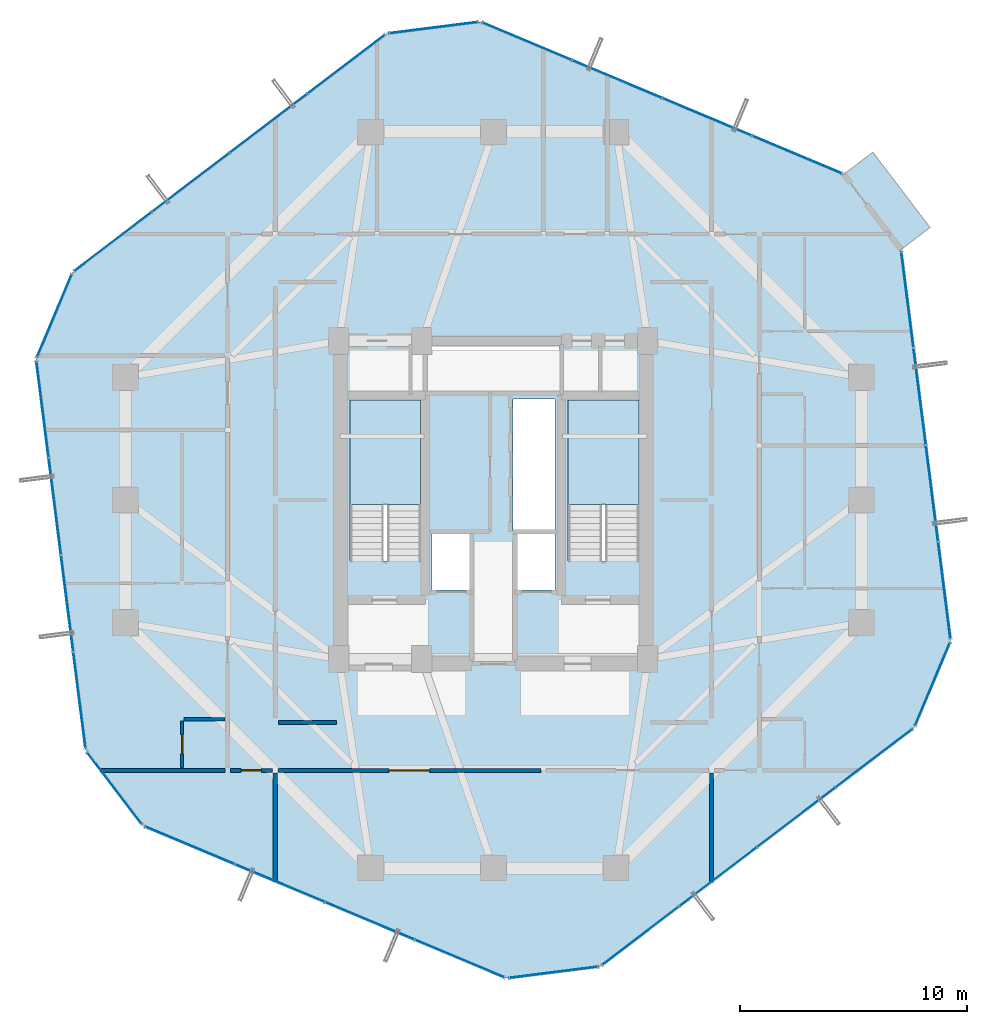
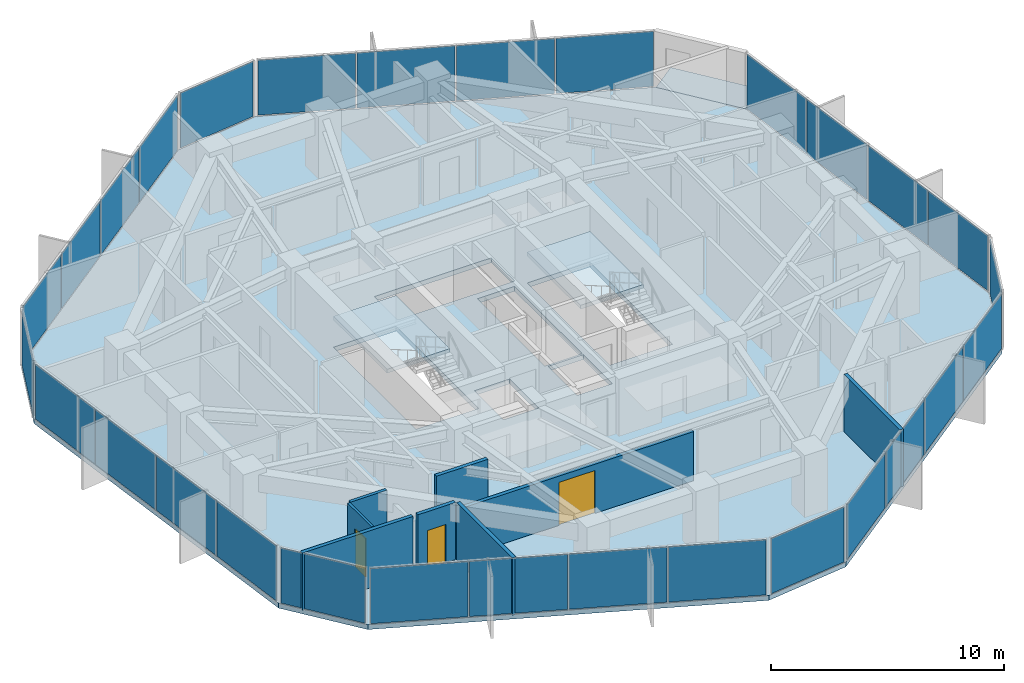
# One storey, part 28 of 33: 29 plates, 8 walls, 4 slabs, 3 doors, 3 openings, 13 elements without a shape of their own.
"""IFC4 building model written with IfcOpenShell, lengths in metres."""

import ifcopenshell
import ifcopenshell.guid

model = None  # the IFC model being written
_history = None  # IfcOwnerHistory: only IFC2X3 demands one
_inside = {}  # id of a spatial element -> (the spatial element, [elements in it])
_under = {}  # id of a project, library or spatial element -> (it, [spatial elements below it])
_declared = {}  # id of a project -> (the project, [libraries it declares])
_typed = {}  # id of a type object -> (the type object, [elements of that type])
_made_of = {}  # id of a material, layer set ... -> (it, [elements and type objects made of it])


def new_model(schema):
    """Start an empty IFC model of exactly this schema.

    Asked for "IFC4X3", IfcOpenShell would pick the latest addendum, in which some entities
    have other attributes; the version numbers below select the first issue.
    IFC2X3 requires an IfcOwnerHistory on every rooted entity: one is made here for all.
    """
    global model, _history
    if schema == "IFC4X3":
        model = ifcopenshell.file(schema_version=(4, 3, 0, 0))
    else:
        model = ifcopenshell.file(schema=schema)
    _inside.clear()
    _under.clear()
    _declared.clear()
    _typed.clear()
    _made_of.clear()
    _history = None
    if model.schema == "IFC2X3":
        org = make("IfcOrganization", Name="unknown")
        user = make(
            "IfcPersonAndOrganization",
            ThePerson=make("IfcPerson", FamilyName="unknown"),
            TheOrganization=org,
        )
        app = make(
            "IfcApplication",
            ApplicationDeveloper=org,
            Version="unknown",
            ApplicationFullName="unknown",
            ApplicationIdentifier="unknown",
        )
        _history = make(
            "IfcOwnerHistory",
            OwningUser=user,
            OwningApplication=app,
            ChangeAction="ADDED",
            CreationDate=0,
        )
    return model


def make(cls, **values):
    """One entity of the class cls with the attributes given. An attribute that is None is left unset."""
    return model.create_entity(
        cls, **{name: value for name, value in values.items() if value is not None}
    )


def rooted(cls, **values):
    """An entity with a GlobalId (a new one), such as an element, a storey or a relation."""
    return make(cls, GlobalId=ifcopenshell.guid.new(), OwnerHistory=_history, **values)


def si_unit(unit_type, name, prefix=None):
    """IfcSIUnit, for example si_unit("LENGTHUNIT", "METRE", prefix="MILLI")."""
    return make("IfcSIUnit", UnitType=unit_type, Prefix=prefix, Name=name)


def assignment(units):
    """IfcUnitAssignment: the units of a project."""
    return None if units is None else make("IfcUnitAssignment", Units=units)


def point(xyz):
    """IfcCartesianPoint."""
    return None if xyz is None else make("IfcCartesianPoint", Coordinates=xyz)


def direction(xyz):
    """IfcDirection."""
    return None if xyz is None else make("IfcDirection", DirectionRatios=xyz)


def frame(location, z_axis=None, x_axis=None):
    """IfcAxis2Placement3D, a coordinate frame: its origin and axes. An axis left out is left unset."""
    return make(
        "IfcAxis2Placement3D",
        Location=point(location),
        Axis=direction(z_axis),
        RefDirection=direction(x_axis),
    )


def frame_2d(location, x_axis=None):
    """IfcAxis2Placement2D, a coordinate frame in the plane: its origin and x axis."""
    return make(
        "IfcAxis2Placement2D", Location=point(location), RefDirection=direction(x_axis)
    )


def origin():
    """The frame at (0, 0, 0) with its axes left unset."""
    return frame((0.0, 0.0, 0.0))


def origin_2d():
    """The frame at (0, 0) in the plane with its x axis left unset."""
    return frame_2d((0.0, 0.0))


def place(relative_to, where):
    """IfcLocalPlacement: puts the frame where relative to a parent placement (None: the world)."""
    return make(
        "IfcLocalPlacement", PlacementRelTo=relative_to, RelativePlacement=where
    )


def context(
    kind, dimensions, precision=None, world=None, true_north=None, identifier=None
):
    """IfcGeometricRepresentationContext, for example the 3D "Model" context."""
    return make(
        "IfcGeometricRepresentationContext",
        ContextIdentifier=identifier,
        ContextType=kind,
        CoordinateSpaceDimension=dimensions,
        Precision=precision,
        WorldCoordinateSystem=world,
        TrueNorth=true_north,
    )


def subcontext(parent, identifier, kind, view, scale=None):
    """IfcGeometricRepresentationSubContext, for example "Body" below "Model"."""
    return make(
        "IfcGeometricRepresentationSubContext",
        ContextIdentifier=identifier,
        ContextType=kind,
        ParentContext=parent,
        TargetScale=scale,
        TargetView=view,
    )


def project(units=None, contexts=None):
    """IfcProject with its units and contexts."""
    return rooted(
        "IfcProject",
        Name="project",
        RepresentationContexts=contexts,
        UnitsInContext=assignment(units),
    )


def spatial(cls, under=None, at=None, **own):
    """A site, building, storey or space (cls), placed at a placement, below another one or the project."""
    s = rooted(cls, ObjectPlacement=at, **own)
    if under is not None:
        _under.setdefault(under.id(), (under, []))[1].append(s)
    return s


def polyline(points):
    """IfcPolyline through the points."""
    return make("IfcPolyline", Points=[point(p) for p in points])


def profile(cls, at=None, kind="AREA", **sizes):
    """A parametric profile (cls). Its sizes go by their IFC names, for example OverallWidth=200.0."""
    return make(cls, ProfileType=kind, Position=at, **sizes)


def rectangle(**sizes):
    """IfcRectangleProfileDef."""
    return profile("IfcRectangleProfileDef", **sizes)


def outline(outer, holes=None, kind="AREA"):
    """IfcArbitraryClosedProfileDef: a profile drawn as a closed curve; with holes, ...WithVoids."""
    if holes is None:
        return make("IfcArbitraryClosedProfileDef", ProfileType=kind, OuterCurve=outer)
    return make(
        "IfcArbitraryProfileDefWithVoids",
        ProfileType=kind,
        OuterCurve=outer,
        InnerCurves=holes,
    )


def extrude(swept, where, along, depth):
    """IfcExtrudedAreaSolid: the profile swept, set in the frame where, extruded along a direction by depth."""
    return make(
        "IfcExtrudedAreaSolid",
        SweptArea=swept,
        Position=where,
        ExtrudedDirection=direction(along),
        Depth=depth,
    )


def shape(context_of_items, identifier, shape_type, items):
    """IfcShapeRepresentation: the items that make up one representation, for example the "Body"."""
    return make(
        "IfcShapeRepresentation",
        ContextOfItems=context_of_items,
        RepresentationIdentifier=identifier,
        RepresentationType=shape_type,
        Items=items,
    )


def source(mapping_origin, context_of_items, identifier, shape_type, items):
    """IfcRepresentationMap: a shape defined once, which mapped items show again and again."""
    return make(
        "IfcRepresentationMap",
        MappingOrigin=mapping_origin,
        MappedRepresentation=shape(context_of_items, identifier, shape_type, items),
    )


def transform(
    local_origin,
    x_axis=None,
    y_axis=None,
    z_axis=None,
    scale=None,
    scale2=None,
    scale3=None,
    uniform=True,
):
    """IfcCartesianTransformationOperator3D, or its non-uniform kind. x_axis, y_axis, z_axis: its Axis1, 2, 3."""
    if uniform:
        return make(
            "IfcCartesianTransformationOperator3D",
            Axis1=direction(x_axis),
            Axis2=direction(y_axis),
            LocalOrigin=point(local_origin),
            Scale=scale,
            Axis3=direction(z_axis),
        )
    return make(
        "IfcCartesianTransformationOperator3DnonUniform",
        Axis1=direction(x_axis),
        Axis2=direction(y_axis),
        LocalOrigin=point(local_origin),
        Scale=scale,
        Axis3=direction(z_axis),
        Scale2=scale2,
        Scale3=scale3,
    )


def mapped(mapping_source, mapping_target):
    """IfcMappedItem: shows the shape of a source again, moved by a transform."""
    return make(
        "IfcMappedItem", MappingSource=mapping_source, MappingTarget=mapping_target
    )


def material(Name=None, Category=None):
    """IfcMaterial."""
    return make("IfcMaterial", Name=Name, Category=Category)


def layer(
    of_material, thickness, ventilated=None, Name=None, Category=None, Priority=None
):
    """IfcMaterialLayer: one layer of a wall or slab, of a material (None: an air gap)."""
    return make(
        "IfcMaterialLayer",
        Material=of_material,
        LayerThickness=thickness,
        IsVentilated=ventilated,
        Name=Name,
        Category=Category,
        Priority=Priority,
    )


def layer_set(layers, Name=None):
    """IfcMaterialLayerSet."""
    return make("IfcMaterialLayerSet", MaterialLayers=layers, LayerSetName=Name)


def made_of(thing, what):
    """Note that an element or type object is made of a material, layer set ...; save() writes the relation."""
    if what is not None:
        _made_of.setdefault(what.id(), (what, []))[1].append(thing)
    return thing


def type_object(cls, material=None, **own):
    """A type object (cls), such as IfcWallType, which elements share."""
    return made_of(rooted(cls, **own), material)


def element(
    cls,
    number,
    at=None,
    inside=None,
    cuts=None,
    type_object=None,
    material=None,
    context=None,
    identifier="Body",
    shape_type=None,
    held_by="IfcProductDefinitionShape",
    body=None,
    shapes=None,
    **own,
):
    """One element of the class cls, such as IfcWall. Its Tag is "e" and its number.

    at: its placement. inside: the storey or other place that contains it. cuts: it is an
    opening in that element (IfcRelVoidsElement). A single representation is given by context,
    identifier, shape_type and body (its items); several are given by shapes. held_by: the class
    of the entity that holds the representations. save() writes the other relations.
    """
    e = rooted(cls, Tag="e%d" % number, ObjectPlacement=at, **own)
    if body is not None:
        shapes = [shape(context, identifier, shape_type, body)]
    if shapes is not None:
        e.Representation = make(held_by, Representations=shapes)
    if inside is not None:
        _inside.setdefault(inside.id(), (inside, []))[1].append(e)
    if cuts is not None:
        rooted(
            "IfcRelVoidsElement", RelatingBuildingElement=cuts, RelatedOpeningElement=e
        )
    if type_object is not None:
        _typed.setdefault(type_object.id(), (type_object, []))[1].append(e)
    return made_of(e, material)


def fill(opening, filler):
    """IfcRelFillsElement: the door or window that sits in an opening."""
    return rooted(
        "IfcRelFillsElement",
        RelatingOpeningElement=opening,
        RelatedBuildingElement=filler,
    )


def aggregate(whole, parts):
    """IfcRelAggregates: a whole, such as a stair, and the parts it consists of."""
    return rooted("IfcRelAggregates", RelatingObject=whole, RelatedObjects=parts)


def save(model, path):
    """Write the relations noted so far, then the file.

    IfcRelAggregates (storeys below a building ...), IfcRelContainedInSpatialStructure (elements
    in a storey), IfcRelDefinesByType, IfcRelAssociatesMaterial and IfcRelDeclares: one each for
    every whole, place, type object, material and project.
    """
    for whole, parts in _under.values():
        aggregate(whole, parts)
    for where, things in _inside.values():
        rooted(
            "IfcRelContainedInSpatialStructure",
            RelatedElements=things,
            RelatingStructure=where,
        )
    for kind, things in _typed.values():
        rooted("IfcRelDefinesByType", RelatedObjects=things, RelatingType=kind)
    for what, things in _made_of.values():
        rooted("IfcRelAssociatesMaterial", RelatedObjects=things, RelatingMaterial=what)
    for by, libraries in _declared.values():
        rooted("IfcRelDeclares", RelatingContext=by, RelatedDefinitions=libraries)
    model.write(path)


model = new_model("IFC4")

# Units and contexts
model_context = context("Model", 3, precision=1e-05, world=origin(), true_north=direction((0.0, 1.0)))
body_context = subcontext(model_context, "Body", "Model", "MODEL_VIEW")
ifc_project = project(units=[si_unit("LENGTHUNIT", "METRE"), si_unit("AREAUNIT", "SQUARE_METRE"), si_unit("VOLUMEUNIT", "CUBIC_METRE"), si_unit("PLANEANGLEUNIT", "RADIAN"), si_unit("MASSUNIT", "GRAM", prefix="KILO")], contexts=[model_context])

# Site, building, storey
site_placement = place(None, origin())
site = spatial("IfcSite", under=ifc_project, at=site_placement, CompositionType="ELEMENT")
building_placement = place(site_placement, origin())
building = spatial("IfcBuilding", under=site, at=building_placement, Name="Veraguas Prism Commons", CompositionType="ELEMENT")
storey_placement = place(building_placement, frame((0.0, 0.0, 152.25)))
storey = spatial("IfcBuildingStorey", under=building, at=storey_placement, Name="L43", CompositionType="ELEMENT", Elevation=152.25)

# Stair, slab
ifc_material_1 = material(Name="Precast concrete C45/55", Category="concrete")
stair_type = type_object("IfcStairType", Name="Dogleg Core Stair 1480W 20R 05", PredefinedType="HALF_TURN_STAIR", material=ifc_material_1)
stair_1_placement = place(storey_placement, origin())
stair_1 = element("IfcStair", 1, at=stair_1_placement, inside=storey, type_object=stair_type, Name="Protected Exit Stair ST-01 L43", PredefinedType="HALF_TURN_STAIR")
ifc_layer_1 = layer(ifc_material_1, 0.199951171875, Name="Precast Stair and Ramp Landing Slab 200", Category="concrete")
ifc_layer_set_1 = layer_set([ifc_layer_1], Name="Precast concrete C45/55")
slab_type_1 = type_object("IfcSlabType", Name="Precast Stair and Ramp Landing Slab 200", PredefinedType="LANDING", material=ifc_layer_set_1)
slab_1_placement = place(storey_placement, frame((0.0, 0.0, 1.425048828125)))
slab_1 = element("IfcSlab", 2, at=slab_1_placement, type_object=slab_type_1, Name="ST-05 Landing 1", PredefinedType="LANDING", context=body_context, shape_type="SweptSolid", body=[
    extrude(outline(polyline([(20.800048828125, 23.800048828125), (20.800048828125, 28.39990234375), (17.68994140625, 28.39990234375), (17.68994140625, 23.800048828125), (20.800048828125, 23.800048828125)])), origin(), (0.0, 0.0, 1.0), 0.199951171875),
])
aggregate(stair_1, [slab_1])

stair_2_placement = place(storey_placement, origin())
stair_2 = element("IfcStair", 3, at=stair_2_placement, inside=storey, type_object=stair_type, Name="Protected Exit Stair ST-02 L43", PredefinedType="HALF_TURN_STAIR")
slab_2_placement = place(storey_placement, frame((0.0, 0.0, 1.425048828125)))
slab_2 = element("IfcSlab", 4, at=slab_2_placement, type_object=slab_type_1, Name="ST-05 Landing 1", PredefinedType="LANDING", context=body_context, shape_type="SweptSolid", body=[
    extrude(outline(polyline([(30.39990234375, 23.800048828125), (30.39990234375, 28.39990234375), (27.2900390625, 28.39990234375), (27.2900390625, 23.800048828125), (30.39990234375, 23.800048828125)])), origin(), (0.0, 0.0, 1.0), 0.199951171875),
])
aggregate(stair_2, [slab_2])

# Slabs
ifc_material_2 = material(Name="Concrete C45/55", Category="concrete")
ifc_layer_2 = layer(ifc_material_2, 0.219970703125, Name="Recessed Loggia and Terrace Slab RC 220", Category="concrete")
ifc_layer_set_2 = layer_set([ifc_layer_2], Name="Concrete C45/55")
slab_type_2 = type_object("IfcSlabType", Name="Recessed Loggia and Terrace Slab RC 220", PredefinedType="FLOOR", material=ifc_layer_set_2)
slab_3_placement = place(storey_placement, frame((0.0, 0.0, -0.219970703125)))
element("IfcSlab", 5, at=slab_3_placement, inside=storey, type_object=slab_type_2, Name="Recessed Corner Loggia L43-C1", PredefinedType="FLOOR", context=body_context, shape_type="SweptSolid", body=[
    extrude(outline(polyline([(41.920166015625, 35.013427734375), (43.209716796875, 35.993896484375), (40.696533203125, 39.300048828125), (39.40673828125, 38.319580078125), (41.920166015625, 35.013427734375)])), origin(), (0.0, 0.0, 1.0), 0.219970703125),
])
ifc_layer_3 = layer(ifc_material_2, 0.25, Name="Tower Lower Residential Floor Slab RC 250", Category="concrete")
ifc_layer_set_3 = layer_set([ifc_layer_3], Name="Concrete C45/55")
slab_type_3 = type_object("IfcSlabType", Name="Tower Lower Residential Floor Slab RC 250", PredefinedType="FLOOR", material=ifc_layer_set_3)
slab_4_placement = place(storey_placement, frame((0.0, 0.0, -0.25)))
element("IfcSlab", 6, at=slab_4_placement, inside=storey, type_object=slab_type_3, Name="Tower Floor Slab L43", PredefinedType="FLOOR", context=body_context, shape_type="SweptSolid", body=[
    extrude(outline(polyline([(41.93603515625, 35.025390625), (39.422607421875, 38.331787109375), (23.419677734375, 45.0458984375), (19.299560546875, 44.5224609375), (5.483642578125, 34.020263671875), (3.876953125, 30.1904296875), (6.06396484375, 12.974609375), (8.577392578125, 9.668212890625), (24.580322265625, 2.9541015625), (28.700439453125, 3.4775390625), (42.516357421875, 13.979736328125), (44.123046875, 17.8095703125), (41.93603515625, 35.025390625)]), holes=[polyline([(20.800048828125, 21.31005859375), (20.800048828125, 28.39990234375), (17.68994140625, 28.39990234375), (17.68994140625, 21.31005859375), (20.800048828125, 21.31005859375)]), polyline([(30.39990234375, 21.31005859375), (30.39990234375, 28.39990234375), (27.2900390625, 28.39990234375), (27.2900390625, 21.31005859375), (30.39990234375, 21.31005859375)]), polyline([(24.85009765625, 22.64990234375), (26.699951171875, 22.64990234375), (26.699951171875, 28.449951171875), (24.85009765625, 28.449951171875), (24.85009765625, 22.64990234375)]), polyline([(21.10009765625, 28.800048828125), (26.89990234375, 28.800048828125), (26.89990234375, 30.800048828125), (21.10009765625, 30.800048828125), (21.10009765625, 28.800048828125)]), polyline([(21.300048828125, 20.050048828125), (23.050048828125, 20.050048828125), (23.050048828125, 22.550048828125), (21.300048828125, 22.550048828125), (21.300048828125, 20.050048828125)]), polyline([(24.949951171875, 20.050048828125), (26.699951171875, 20.050048828125), (26.699951171875, 22.550048828125), (24.949951171875, 22.550048828125), (24.949951171875, 20.050048828125)])]), origin(), (0.0, 0.0, 1.0), 0.25),
])

# Curtain wall, plates
ifc_material_3 = material(Name="Anodised aluminium EN AW-6063 T6", Category="aluminium")
ifc_layer_4 = layer(ifc_material_3, 0.169921875, Name="Unitised Flush Curtain Wall Zone 2", Category="aluminium")
ifc_layer_set_4 = layer_set([ifc_layer_4], Name="Anodised aluminium EN AW-6063 T6")
curtain_wall_type = type_object("IfcCurtainWallType", Name="Unitised Flush Curtain Wall Zone 2", PredefinedType="NOTDEFINED", material=ifc_layer_set_4)
curtain_wall_1_placement = place(storey_placement, origin())
curtain_wall_1 = element("IfcCurtainWall", 7, at=curtain_wall_1_placement, inside=storey, type_object=curtain_wall_type, Name="Tower Facade Curtain Wall L43-F2", PredefinedType="NOTDEFINED")
ifc_material_4 = material(Name="Laminated low-e glass", Category="glass")
ifc_layer_5 = layer(ifc_material_4, 0.028076171875, Name="Unitised Double Low-E Glazed Panel 28", Category="glass")
ifc_layer_set_5 = layer_set([ifc_layer_5], Name="Laminated low-e glass")
plate_type = type_object("IfcPlateType", Name="Unitised Double Low-E Glazed Panel 28", PredefinedType="CURTAIN_PANEL", material=ifc_layer_set_5)
shared_shape_1 = source(origin(), body_context, "Body", "SweptSolid", [
    extrude(rectangle(XDim=4.218505859375, YDim=0.028076171875, at=origin_2d()), origin(), (0.0, 0.0, 1.0), 2.889892578125),
])
plate_1_placement = place(storey_placement, frame((17.52490234375, 43.17333984375, 0.05517578125), z_axis=(0.0, 0.0, 1.0), x_axis=(-0.796104465545, -0.605159218668, 0.0)))
plate_1 = element("IfcPlate", 8, at=plate_1_placement, type_object=plate_type, Name="CW-Z2 Panel 1.1", PredefinedType="CURTAIN_PANEL", context=body_context, shape_type="MappedRepresentation", body=[
    mapped(shared_shape_1, transform((0.0, 0.0, 0.0), scale=1.0)),
])
plate_2_placement = place(storey_placement, frame((7.258544921875, 35.369384765625, 0.05517578125), z_axis=(0.0, 0.0, 1.0), x_axis=(-0.796104465545, -0.605159218668, 0.0)))
plate_2 = element("IfcPlate", 9, at=plate_2_placement, type_object=plate_type, Name="CW-Z2 Panel 4.1", PredefinedType="CURTAIN_PANEL", context=body_context, shape_type="MappedRepresentation", body=[
    mapped(shared_shape_1, transform((0.0, 0.0, 0.0), scale=1.0)),
])

curtain_wall_2_placement = place(storey_placement, origin())
curtain_wall_2 = element("IfcCurtainWall", 10, at=curtain_wall_2_placement, inside=storey, type_object=curtain_wall_type, Name="Tower Facade Curtain Wall L43-F3", PredefinedType="NOTDEFINED")
plate_3_placement = place(storey_placement, frame((4.157958984375, 27.97900390625, 0.05517578125), z_axis=(0.0, 0.0, 1.0), x_axis=(0.126020635446, -0.992027620302, 0.0)))
plate_3 = element("IfcPlate", 11, at=plate_3_placement, type_object=plate_type, Name="CW-Z2 Panel 1.1", PredefinedType="CURTAIN_PANEL", context=body_context, shape_type="MappedRepresentation", body=[
    mapped(shared_shape_1, transform((0.0, 0.0, 0.0), scale=1.0)),
])
plate_4_placement = place(storey_placement, frame((5.782958984375, 15.18603515625, 0.05517578125), z_axis=(0.0, 0.0, 1.0), x_axis=(0.126020635446, -0.992027620302, 0.0)))
plate_4 = element("IfcPlate", 12, at=plate_4_placement, type_object=plate_type, Name="CW-Z2 Panel 4.1", PredefinedType="CURTAIN_PANEL", context=body_context, shape_type="MappedRepresentation", body=[
    mapped(shared_shape_1, transform((0.0, 0.0, 0.0), scale=1.0)),
])

curtain_wall_3_placement = place(storey_placement, origin())
curtain_wall_3 = element("IfcCurtainWall", 13, at=curtain_wall_3_placement, inside=storey, type_object=curtain_wall_type, Name="Tower Facade Curtain Wall L43-F5", PredefinedType="NOTDEFINED")
plate_5_placement = place(storey_placement, frame((30.47509765625, 4.82666015625, 0.05517578125), z_axis=(0.0, 0.0, 1.0), x_axis=(0.796104465545, 0.605159218668, 0.0)))
plate_5 = element("IfcPlate", 14, at=plate_5_placement, type_object=plate_type, Name="CW-Z2 Panel 1.1", PredefinedType="CURTAIN_PANEL", context=body_context, shape_type="MappedRepresentation", body=[
    mapped(shared_shape_1, transform((0.0, 0.0, 0.0), scale=1.0)),
])
plate_6_placement = place(storey_placement, frame((40.741455078125, 12.630615234375, 0.05517578125), z_axis=(0.0, 0.0, 1.0), x_axis=(0.796104465545, 0.605159218668, 0.0)))
plate_6 = element("IfcPlate", 15, at=plate_6_placement, type_object=plate_type, Name="CW-Z2 Panel 4.1", PredefinedType="CURTAIN_PANEL", context=body_context, shape_type="MappedRepresentation", body=[
    mapped(shared_shape_1, transform((0.0, 0.0, 0.0), scale=1.0)),
])

curtain_wall_4_placement = place(storey_placement, origin())
curtain_wall_4 = element("IfcCurtainWall", 16, at=curtain_wall_4_placement, inside=storey, type_object=curtain_wall_type, Name="Tower Facade Curtain Wall L43-F6", PredefinedType="NOTDEFINED")
plate_7_placement = place(storey_placement, frame((43.842041015625, 20.02099609375, 0.05517578125), z_axis=(0.0, 0.0, 1.0), x_axis=(-0.126020635446, 0.992027620302, 0.0)))
plate_7 = element("IfcPlate", 17, at=plate_7_placement, type_object=plate_type, Name="CW-Z2 Panel 1.1", PredefinedType="CURTAIN_PANEL", context=body_context, shape_type="MappedRepresentation", body=[
    mapped(shared_shape_1, transform((0.0, 0.0, 0.0), scale=1.0)),
])
plate_8_placement = place(storey_placement, frame((42.217041015625, 32.81396484375, 0.05517578125), z_axis=(0.0, 0.0, 1.0), x_axis=(-0.126020635446, 0.992027620302, 0.0)))
plate_8 = element("IfcPlate", 18, at=plate_8_placement, type_object=plate_type, Name="CW-Z2 Panel 4.1", PredefinedType="CURTAIN_PANEL", context=body_context, shape_type="MappedRepresentation", body=[
    mapped(shared_shape_1, transform((0.0, 0.0, 0.0), scale=1.0)),
])

curtain_wall_5_placement = place(storey_placement, origin())
curtain_wall_5 = element("IfcCurtainWall", 19, at=curtain_wall_5_placement, inside=storey, type_object=curtain_wall_type, Name="Tower Facade Curtain Wall L43-F1", PredefinedType="NOTDEFINED")
shared_shape_2 = source(origin(), body_context, "Body", "SweptSolid", [
    extrude(rectangle(XDim=4.24853515625, YDim=0.028076171875, at=origin_2d()), origin(), (0.0, 0.0, 1.0), 2.889892578125),
])
plate_9_placement = place(storey_placement, frame((33.40771484375, 40.85546875, 0.05517578125), z_axis=(0.0, 0.0, 1.0), x_axis=(-0.922132113386, 0.38687512903, 0.0)))
plate_9 = element("IfcPlate", 20, at=plate_9_placement, type_object=plate_type, Name="CW-Z2 Panel 2.1", PredefinedType="CURTAIN_PANEL", context=body_context, shape_type="MappedRepresentation", body=[
    mapped(shared_shape_2, transform((0.0, 0.0, 0.0), scale=1.0)),
])
plate_10_placement = place(storey_placement, frame((29.4345703125, 42.522216796875, 0.05517578125), z_axis=(0.0, 0.0, 1.0), x_axis=(-0.922132113386, 0.38687512903, 0.0)))
plate_10 = element("IfcPlate", 21, at=plate_10_placement, type_object=plate_type, Name="CW-Z2 Panel 3.1", PredefinedType="CURTAIN_PANEL", context=body_context, shape_type="MappedRepresentation", body=[
    mapped(shared_shape_2, transform((0.0, 0.0, 0.0), scale=1.0)),
])

# Plate
plate_11_placement = place(storey_placement, frame((14.106689453125, 40.574951171875, 0.05517578125), z_axis=(0.0, 0.0, 1.0), x_axis=(-0.796104465545, -0.605159218668, 0.0)))
plate_11 = element("IfcPlate", 22, at=plate_11_placement, type_object=plate_type, Name="CW-Z2 Panel 2.1", PredefinedType="CURTAIN_PANEL", context=body_context, shape_type="MappedRepresentation", body=[
    mapped(shared_shape_2, transform((0.0, 0.0, 0.0), scale=1.0)),
])

plate_12_placement = place(storey_placement, frame((10.676513671875, 37.9677734375, 0.05517578125), z_axis=(0.0, 0.0, 1.0), x_axis=(-0.796104465545, -0.605159218668, 0.0)))
plate_12 = element("IfcPlate", 23, at=plate_12_placement, type_object=plate_type, Name="CW-Z2 Panel 3.1", PredefinedType="CURTAIN_PANEL", context=body_context, shape_type="MappedRepresentation", body=[
    mapped(shared_shape_2, transform((0.0, 0.0, 0.0), scale=1.0)),
])

aggregate(curtain_wall_1, [plate_1, plate_11, plate_12, plate_2])

plate_13_placement = place(storey_placement, frame((4.698974609375, 23.7197265625, 0.05517578125), z_axis=(0.0, 0.0, 1.0), x_axis=(0.126020635446, -0.992027620302, 0.0)))
plate_13 = element("IfcPlate", 24, at=plate_13_placement, type_object=plate_type, Name="CW-Z2 Panel 2.1", PredefinedType="CURTAIN_PANEL", context=body_context, shape_type="MappedRepresentation", body=[
    mapped(shared_shape_2, transform((0.0, 0.0, 0.0), scale=1.0)),
])

plate_14_placement = place(storey_placement, frame((5.241943359375, 19.4453125, 0.05517578125), z_axis=(0.0, 0.0, 1.0), x_axis=(0.126020635446, -0.992027620302, 0.0)))
plate_14 = element("IfcPlate", 25, at=plate_14_placement, type_object=plate_type, Name="CW-Z2 Panel 3.1", PredefinedType="CURTAIN_PANEL", context=body_context, shape_type="MappedRepresentation", body=[
    mapped(shared_shape_2, transform((0.0, 0.0, 0.0), scale=1.0)),
])

aggregate(curtain_wall_2, [plate_3, plate_13, plate_14, plate_4])

# Curtain wall, plates
curtain_wall_6_placement = place(storey_placement, origin())
curtain_wall_6 = element("IfcCurtainWall", 26, at=curtain_wall_6_placement, inside=storey, type_object=curtain_wall_type, Name="Tower Facade Curtain Wall L43-F4", PredefinedType="NOTDEFINED")
plate_15_placement = place(storey_placement, frame((14.59228515625, 7.14453125, 0.05517578125), z_axis=(0.0, 0.0, 1.0), x_axis=(0.922132113386, -0.38687512903, 0.0)))
plate_15 = element("IfcPlate", 27, at=plate_15_placement, type_object=plate_type, Name="CW-Z2 Panel 2.1", PredefinedType="CURTAIN_PANEL", context=body_context, shape_type="MappedRepresentation", body=[
    mapped(shared_shape_2, transform((0.0, 0.0, 0.0), scale=1.0)),
])
plate_16_placement = place(storey_placement, frame((18.5654296875, 5.477783203125, 0.05517578125), z_axis=(0.0, 0.0, 1.0), x_axis=(0.922132113386, -0.38687512903, 0.0)))
plate_16 = element("IfcPlate", 28, at=plate_16_placement, type_object=plate_type, Name="CW-Z2 Panel 3.1", PredefinedType="CURTAIN_PANEL", context=body_context, shape_type="MappedRepresentation", body=[
    mapped(shared_shape_2, transform((0.0, 0.0, 0.0), scale=1.0)),
])

# Plate
plate_17_placement = place(storey_placement, frame((33.893310546875, 7.425048828125, 0.05517578125), z_axis=(0.0, 0.0, 1.0), x_axis=(0.796104465545, 0.605159218668, 0.0)))
plate_17 = element("IfcPlate", 29, at=plate_17_placement, type_object=plate_type, Name="CW-Z2 Panel 2.1", PredefinedType="CURTAIN_PANEL", context=body_context, shape_type="MappedRepresentation", body=[
    mapped(shared_shape_2, transform((0.0, 0.0, 0.0), scale=1.0)),
])

plate_18_placement = place(storey_placement, frame((37.323486328125, 10.0322265625, 0.05517578125), z_axis=(0.0, 0.0, 1.0), x_axis=(0.796104465545, 0.605159218668, 0.0)))
plate_18 = element("IfcPlate", 30, at=plate_18_placement, type_object=plate_type, Name="CW-Z2 Panel 3.1", PredefinedType="CURTAIN_PANEL", context=body_context, shape_type="MappedRepresentation", body=[
    mapped(shared_shape_2, transform((0.0, 0.0, 0.0), scale=1.0)),
])

aggregate(curtain_wall_3, [plate_5, plate_17, plate_18, plate_6])

plate_19_placement = place(storey_placement, frame((43.301025390625, 24.2802734375, 0.05517578125), z_axis=(0.0, 0.0, 1.0), x_axis=(-0.126020635446, 0.992027620302, 0.0)))
plate_19 = element("IfcPlate", 31, at=plate_19_placement, type_object=plate_type, Name="CW-Z2 Panel 2.1", PredefinedType="CURTAIN_PANEL", context=body_context, shape_type="MappedRepresentation", body=[
    mapped(shared_shape_2, transform((0.0, 0.0, 0.0), scale=1.0)),
])

plate_20_placement = place(storey_placement, frame((42.758056640625, 28.5546875, 0.05517578125), z_axis=(0.0, 0.0, 1.0), x_axis=(-0.126020635446, 0.992027620302, 0.0)))
plate_20 = element("IfcPlate", 32, at=plate_20_placement, type_object=plate_type, Name="CW-Z2 Panel 3.1", PredefinedType="CURTAIN_PANEL", context=body_context, shape_type="MappedRepresentation", body=[
    mapped(shared_shape_2, transform((0.0, 0.0, 0.0), scale=1.0)),
])

aggregate(curtain_wall_4, [plate_7, plate_19, plate_20, plate_8])

# Curtain wall, plate
curtain_wall_7_placement = place(storey_placement, origin())
curtain_wall_7 = element("IfcCurtainWall", 33, at=curtain_wall_7_placement, inside=storey, type_object=curtain_wall_type, Name="Chamfer Curtain Wall L43-C2", PredefinedType="NOTDEFINED")
shared_shape_3 = source(origin(), body_context, "Body", "SweptSolid", [
    extrude(rectangle(XDim=3.9130859375, YDim=0.028076171875, at=origin_2d()), origin(), (0.0, 0.0, 1.0), 2.889892578125),
])
plate_21_placement = place(storey_placement, frame((21.359619140625, 44.7841796875, 0.05517578125), z_axis=(0.0, 0.0, 1.0), x_axis=(-0.992029599707, -0.126005052697, 0.0)))
plate_21 = element("IfcPlate", 34, at=plate_21_placement, type_object=plate_type, Name="CW-Z2 Panel 1.1", PredefinedType="CURTAIN_PANEL", context=body_context, shape_type="MappedRepresentation", body=[
    mapped(shared_shape_3, transform((0.0, 0.0, 0.0), scale=1.0)),
])
aggregate(curtain_wall_7, [plate_21])

curtain_wall_8_placement = place(storey_placement, origin())
curtain_wall_8 = element("IfcCurtainWall", 35, at=curtain_wall_8_placement, inside=storey, type_object=curtain_wall_type, Name="Chamfer Curtain Wall L43-C4", PredefinedType="NOTDEFINED")
plate_22_placement = place(storey_placement, frame((7.320556640625, 11.3212890625, 0.05517578125), z_axis=(0.0, 0.0, 1.0), x_axis=(0.60517311322, -0.796093903403, 0.0)))
plate_22 = element("IfcPlate", 36, at=plate_22_placement, type_object=plate_type, Name="CW-Z2 Panel 1.1", PredefinedType="CURTAIN_PANEL", context=body_context, shape_type="MappedRepresentation", body=[
    mapped(shared_shape_3, transform((0.0, 0.0, 0.0), scale=1.0)),
])
aggregate(curtain_wall_8, [plate_22])

curtain_wall_9_placement = place(storey_placement, origin())
curtain_wall_9 = element("IfcCurtainWall", 37, at=curtain_wall_9_placement, inside=storey, type_object=curtain_wall_type, Name="Chamfer Curtain Wall L43-C5", PredefinedType="NOTDEFINED")
plate_23_placement = place(storey_placement, frame((26.640380859375, 3.2158203125, 0.05517578125), z_axis=(0.0, 0.0, 1.0), x_axis=(0.992029599707, 0.126005052697, 0.0)))
plate_23 = element("IfcPlate", 38, at=plate_23_placement, type_object=plate_type, Name="CW-Z2 Panel 1.1", PredefinedType="CURTAIN_PANEL", context=body_context, shape_type="MappedRepresentation", body=[
    mapped(shared_shape_3, transform((0.0, 0.0, 0.0), scale=1.0)),
])
aggregate(curtain_wall_9, [plate_23])

curtain_wall_10_placement = place(storey_placement, origin())
curtain_wall_10 = element("IfcCurtainWall", 39, at=curtain_wall_10_placement, inside=storey, type_object=curtain_wall_type, Name="Chamfer Curtain Wall L43-C3", PredefinedType="NOTDEFINED")
shared_shape_4 = source(origin(), body_context, "Body", "SweptSolid", [
    extrude(rectangle(XDim=3.913330078125, YDim=0.028076171875, at=origin_2d()), origin(), (0.0, 0.0, 1.0), 2.889892578125),
])
plate_24_placement = place(storey_placement, frame((4.680419921875, 32.10546875, 0.05517578125), z_axis=(0.0, 0.0, 1.0), x_axis=(-0.386881566717, -0.922129412466, 0.0)))
plate_24 = element("IfcPlate", 40, at=plate_24_placement, type_object=plate_type, Name="CW-Z2 Panel 1.1", PredefinedType="CURTAIN_PANEL", context=body_context, shape_type="MappedRepresentation", body=[
    mapped(shared_shape_4, transform((0.0, 0.0, 0.0), scale=1.0)),
])
aggregate(curtain_wall_10, [plate_24])

curtain_wall_11_placement = place(storey_placement, origin())
curtain_wall_11 = element("IfcCurtainWall", 41, at=curtain_wall_11_placement, inside=storey, type_object=curtain_wall_type, Name="Chamfer Curtain Wall L43-C6", PredefinedType="NOTDEFINED")
plate_25_placement = place(storey_placement, frame((43.319580078125, 15.89453125, 0.05517578125), z_axis=(0.0, 0.0, 1.0), x_axis=(0.386881566717, 0.922129412466, 0.0)))
plate_25 = element("IfcPlate", 42, at=plate_25_placement, type_object=plate_type, Name="CW-Z2 Panel 1.1", PredefinedType="CURTAIN_PANEL", context=body_context, shape_type="MappedRepresentation", body=[
    mapped(shared_shape_4, transform((0.0, 0.0, 0.0), scale=1.0)),
])
aggregate(curtain_wall_11, [plate_25])

# Plate
shared_shape_5 = source(origin(), body_context, "Body", "SweptSolid", [
    extrude(rectangle(XDim=4.21875, YDim=0.028076171875, at=origin_2d()), origin(), (0.0, 0.0, 1.0), 2.889892578125),
])
plate_26_placement = place(storey_placement, frame((37.366943359375, 39.1943359375, 0.05517578125), z_axis=(0.0, 0.0, 1.0), x_axis=(-0.922132113386, 0.38687512903, 0.0)))
plate_26 = element("IfcPlate", 43, at=plate_26_placement, type_object=plate_type, Name="CW-Z2 Panel 1.1", PredefinedType="CURTAIN_PANEL", context=body_context, shape_type="MappedRepresentation", body=[
    mapped(shared_shape_5, transform((0.0, 0.0, 0.0), scale=1.0)),
])

plate_27_placement = place(storey_placement, frame((25.475341796875, 44.183349609375, 0.05517578125), z_axis=(0.0, 0.0, 1.0), x_axis=(-0.922132113386, 0.38687512903, 0.0)))
plate_27 = element("IfcPlate", 44, at=plate_27_placement, type_object=plate_type, Name="CW-Z2 Panel 4.1", PredefinedType="CURTAIN_PANEL", context=body_context, shape_type="MappedRepresentation", body=[
    mapped(shared_shape_5, transform((0.0, 0.0, 0.0), scale=1.0)),
])

aggregate(curtain_wall_5, [plate_26, plate_9, plate_10, plate_27])

plate_28_placement = place(storey_placement, frame((10.633056640625, 8.8056640625, 0.05517578125), z_axis=(0.0, 0.0, 1.0), x_axis=(0.922132113386, -0.38687512903, 0.0)))
plate_28 = element("IfcPlate", 45, at=plate_28_placement, type_object=plate_type, Name="CW-Z2 Panel 1.1", PredefinedType="CURTAIN_PANEL", context=body_context, shape_type="MappedRepresentation", body=[
    mapped(shared_shape_5, transform((0.0, 0.0, 0.0), scale=1.0)),
])

plate_29_placement = place(storey_placement, frame((22.524658203125, 3.816650390625, 0.05517578125), z_axis=(0.0, 0.0, 1.0), x_axis=(0.922132113386, -0.38687512903, 0.0)))
plate_29 = element("IfcPlate", 46, at=plate_29_placement, type_object=plate_type, Name="CW-Z2 Panel 4.1", PredefinedType="CURTAIN_PANEL", context=body_context, shape_type="MappedRepresentation", body=[
    mapped(shared_shape_5, transform((0.0, 0.0, 0.0), scale=1.0)),
])

aggregate(curtain_wall_6, [plate_28, plate_15, plate_16, plate_29])

# Walls
ifc_material_5 = material(Name="Autoclaved aerated masonry block 10 MPa", Category="masonry")
ifc_layer_6 = layer(ifc_material_5, 0.179931640625, Name="Corridor and Inter-Tenancy Partition 180", Category="masonry")
ifc_layer_set_6 = layer_set([ifc_layer_6], Name="Autoclaved aerated masonry block 10 MPa")
wall_type_1 = type_object("IfcWallType", Name="Corridor and Inter-Tenancy Partition 180", PredefinedType="PARTITIONING", material=ifc_layer_set_6)
wall_1_placement = place(storey_placement, frame((14.550048828125, 14.199951171875, 0.0), z_axis=(0.0, 0.0, 1.0), x_axis=(1.0, 0.0, 0.0)))
element("IfcWall", 47, at=wall_1_placement, inside=storey, type_object=wall_type_1, Name="WL-L43-IRWS", PredefinedType="PARTITIONING", context=body_context, shape_type="SweptSolid", body=[
    extrude(rectangle(XDim=2.550048828125, YDim=0.179931640625, at=frame_2d((1.27490234375, 0.0))), origin(), (0.0, 0.0, 1.0), 3.0),
])
wall_2_placement = place(storey_placement, frame((14.39990234375, 11.97998046875, 0.0), z_axis=(0.0, 0.0, 1.0), x_axis=(0.0, -1.0, 0.0)))
element("IfcWall", 48, at=wall_2_placement, inside=storey, type_object=wall_type_1, Name="WL-L43-PT001", PredefinedType="PARTITIONING", context=body_context, shape_type="SweptSolid", body=[
    extrude(rectangle(XDim=4.787109375, YDim=0.179931640625, at=frame_2d((2.3935546875, 0.0))), origin(), (0.0, 0.0, 1.0), 3.0),
])
wall_3_placement = place(storey_placement, frame((33.60009765625, 11.97998046875, 0.0), z_axis=(0.0, 0.0, 1.0), x_axis=(0.0, -1.0, 0.0)))
element("IfcWall", 49, at=wall_3_placement, inside=storey, type_object=wall_type_1, Name="WL-L43-PT002", PredefinedType="PARTITIONING", context=body_context, shape_type="SweptSolid", body=[
    extrude(rectangle(XDim=4.815673828125, YDim=0.179931640625, at=frame_2d((2.40771484375, 0.0))), origin(), (0.0, 0.0, 1.0), 3.0),
])

# Wall, opening, door
wall_4_placement = place(storey_placement, frame((14.510009765625, 12.10009765625, 0.0), z_axis=(0.0, 0.0, 1.0), x_axis=(1.0, 0.0, 0.0)))
wall_4 = element("IfcWall", 50, at=wall_4_placement, inside=storey, type_object=wall_type_1, Name="WL-L43-PT003", PredefinedType="PARTITIONING", context=body_context, shape_type="SweptSolid", body=[
    extrude(rectangle(XDim=11.573974609375, YDim=0.179931640625, at=frame_2d((5.787109375, 0.0))), origin(), (0.0, 0.0, 1.0), 2.580078125),
])
opening_1_placement = place(wall_4_placement, frame((4.886962890625, 0.0, 0.0)))
opening_1 = element("IfcOpeningElement", 51, at=opening_1_placement, cuts=wall_4, Name="Opening DR-07", PredefinedType="OPENING", context=body_context, shape_type="SweptSolid", body=[
    extrude(rectangle(XDim=1.800048828125, YDim=2.25, at=frame_2d((0.89990234375, 1.125))), frame((0.0, 0.099853515625, 0.0), z_axis=(0.0, -1.0, 0.0), x_axis=(1.0, 0.0, 0.0)), (0.0, 0.0, 1.0), 0.199951171875),
])
ifc_material_6 = material(Name="Steel fire-rated door assembly", Category="steel")
door_type_1 = type_object("IfcDoorType", Name="Corridor Double Fire Door 1800x2250", OperationType="NOTDEFINED", PredefinedType="DOOR", material=ifc_material_6)
shared_shape_6 = source(origin(), body_context, "Body", "SweptSolid", [
    extrude(rectangle(XDim=1.800048828125, YDim=2.25, at=frame_2d((0.89990234375, 1.125))), frame((0.0, 0.02490234375, 0.0), z_axis=(0.0, -1.0, 0.0), x_axis=(1.0, 0.0, 0.0)), (0.0, 0.0, 1.0), 0.050048828125),
])
door_1_placement = place(opening_1_placement, origin())
door_1 = element("IfcDoor", 52, at=door_1_placement, inside=storey, type_object=door_type_1, Name="Community Multipurpose Assembly Hall Door 1", OperationType="SINGLE_SWING_RIGHT", OverallHeight=2.25, OverallWidth=1.800048828125, PredefinedType="DOOR", context=body_context, shape_type="MappedRepresentation", body=[
    mapped(shared_shape_6, transform((0.0, 0.0, 0.0), scale=1.0)),
])
fill(opening_1, door_1)

# Wall
wall_5_placement = place(storey_placement, frame((12.179931640625, 12.10009765625, 0.0), z_axis=(0.0, 0.0, 1.0), x_axis=(-1.0, 0.0, 0.0)))
element("IfcWall", 53, at=wall_5_placement, inside=storey, type_object=wall_type_1, Name="WL-L43-PT014", PredefinedType="PARTITIONING", context=body_context, shape_type="SweptSolid", body=[
    extrude(rectangle(XDim=5.48876953125, YDim=0.179931640625, at=frame_2d((2.744384765625, 0.0))), origin(), (0.0, 0.0, 1.0), 3.0),
])

# Wall, opening, door
wall_6_placement = place(storey_placement, frame((12.419921875, 12.10009765625, 0.0), z_axis=(0.0, 0.0, 1.0), x_axis=(1.0, 0.0, 0.0)))
wall_6 = element("IfcWall", 54, at=wall_6_placement, inside=storey, type_object=wall_type_1, Name="WL-L43-PT041", PredefinedType="PARTITIONING", context=body_context, shape_type="SweptSolid", body=[
    extrude(rectangle(XDim=1.860107421875, YDim=0.179931640625, at=frame_2d((0.93017578125, 0.0))), origin(), (0.0, 0.0, 1.0), 3.0),
])
opening_2_placement = place(wall_6_placement, frame((0.47998046875, 0.0, 0.0)))
opening_2 = element("IfcOpeningElement", 55, at=opening_2_placement, cuts=wall_6, Name="Opening DR-14", PredefinedType="OPENING", context=body_context, shape_type="SweptSolid", body=[
    extrude(rectangle(XDim=0.89990234375, YDim=2.010009765625, at=frame_2d((0.449951171875, 1.0048828125))), frame((0.0, 0.099853515625, 0.0), z_axis=(0.0, -1.0, 0.0), x_axis=(1.0, 0.0, 0.0)), (0.0, 0.0, 1.0), 0.199951171875),
])
door_type_2 = type_object("IfcDoorType", Name="Core Service Room Fire Door 900x2010", OperationType="NOTDEFINED", PredefinedType="DOOR", material=ifc_material_6)
shared_shape_7 = source(origin(), body_context, "Body", "SweptSolid", [
    extrude(rectangle(XDim=0.89990234375, YDim=2.010009765625, at=frame_2d((0.449951171875, 1.0048828125))), frame((0.0, 0.02490234375, 0.0), z_axis=(0.0, -1.0, 0.0), x_axis=(1.0, 0.0, 0.0)), (0.0, 0.0, 1.0), 0.050048828125),
])
door_2_placement = place(opening_2_placement, origin())
door_2 = element("IfcDoor", 56, at=door_2_placement, inside=storey, type_object=door_type_2, Name="Residents Corner Study Room SW Door", OperationType="SINGLE_SWING_RIGHT", OverallHeight=2.010009765625, OverallWidth=0.89990234375, PredefinedType="DOOR", context=body_context, shape_type="MappedRepresentation", body=[
    mapped(shared_shape_7, transform((0.0, 0.0, 0.0), scale=1.0)),
])
fill(opening_2, door_2)

ifc_material_7 = material(Name="Lightweight acoustic gypsum board")
ifc_layer_7 = layer(ifc_material_7, 0.125, Name="Internal Apartment Room Partition 125")
ifc_layer_set_7 = layer_set([ifc_layer_7], Name="Lightweight acoustic gypsum board")
wall_type_2 = type_object("IfcWallType", Name="Internal Apartment Room Partition 125", PredefinedType="PARTITIONING", material=ifc_layer_set_7)
wall_7_placement = place(storey_placement, frame((10.300048828125, 12.219970703125, 0.0), z_axis=(0.0, 0.0, 1.0), x_axis=(0.0, 1.0, 0.0)))
wall_7 = element("IfcWall", 57, at=wall_7_placement, inside=storey, type_object=wall_type_2, Name="WL-L43-PT018", PredefinedType="PARTITIONING", context=body_context, shape_type="SweptSolid", body=[
    extrude(rectangle(XDim=2.050048828125, YDim=0.125, at=frame_2d((1.02490234375, 0.0))), origin(), (0.0, 0.0, 1.0), 3.0),
])
opening_3_placement = place(wall_7_placement, frame((0.594970703125, 0.0, 0.0)))
opening_3 = element("IfcOpeningElement", 58, at=opening_3_placement, cuts=wall_7, Name="Opening DR-03", PredefinedType="OPENING", context=body_context, shape_type="SweptSolid", body=[
    extrude(rectangle(XDim=0.860107421875, YDim=2.010009765625, at=frame_2d((0.43017578125, 1.0048828125))), frame((0.0, 0.072509765625, 0.0), z_axis=(0.0, -1.0, 0.0), x_axis=(1.0, 0.0, 0.0)), (0.0, 0.0, 1.0), 0.14501953125),
])
ifc_material_8 = material(Name="Timber moisture-resistant leaf", Category="wood")
door_type_3 = type_object("IfcDoorType", Name="Internal Bathroom Door 860x2010", OperationType="NOTDEFINED", PredefinedType="DOOR", material=ifc_material_8)
shared_shape_8 = source(origin(), body_context, "Body", "SweptSolid", [
    extrude(rectangle(XDim=0.860107421875, YDim=2.010009765625, at=frame_2d((0.43017578125, 1.0048828125))), frame((0.0, 0.02490234375, 0.0), z_axis=(0.0, -1.0, 0.0), x_axis=(1.0, 0.0, 0.0)), (0.0, 0.0, 1.0), 0.050048828125),
])
door_3_placement = place(opening_3_placement, origin())
door_3 = element("IfcDoor", 59, at=door_3_placement, inside=storey, type_object=door_type_3, Name="Flat 43A Bathroom Door", OperationType="SINGLE_SWING_LEFT", OverallHeight=2.010009765625, OverallWidth=0.860107421875, PredefinedType="DOOR", context=body_context, shape_type="MappedRepresentation", body=[
    mapped(shared_shape_8, transform((0.0, 0.0, 0.0), scale=1.0)),
])
fill(opening_3, door_3)

# Wall
ifc_layer_8 = layer(ifc_material_7, 0.14990234375, Name="Wet Room and Clinic Acoustic Partition 150")
ifc_layer_set_8 = layer_set([ifc_layer_8], Name="Lightweight acoustic gypsum board")
wall_type_3 = type_object("IfcWallType", Name="Wet Room and Clinic Acoustic Partition 150", PredefinedType="PARTITIONING", material=ifc_layer_set_8)
wall_8_placement = place(storey_placement, frame((12.179931640625, 14.35009765625, 0.0), z_axis=(0.0, 0.0, 1.0), x_axis=(-1.0, 0.0, 0.0)))
element("IfcWall", 60, at=wall_8_placement, inside=storey, type_object=wall_type_3, Name="WL-L43-PT017", PredefinedType="PARTITIONING", context=body_context, shape_type="SweptSolid", body=[
    extrude(rectangle(XDim=1.800048828125, YDim=0.14990234375, at=frame_2d((0.89990234375, 0.0))), origin(), (0.0, 0.0, 1.0), 3.0),
])

save(model, "model.ifc")
